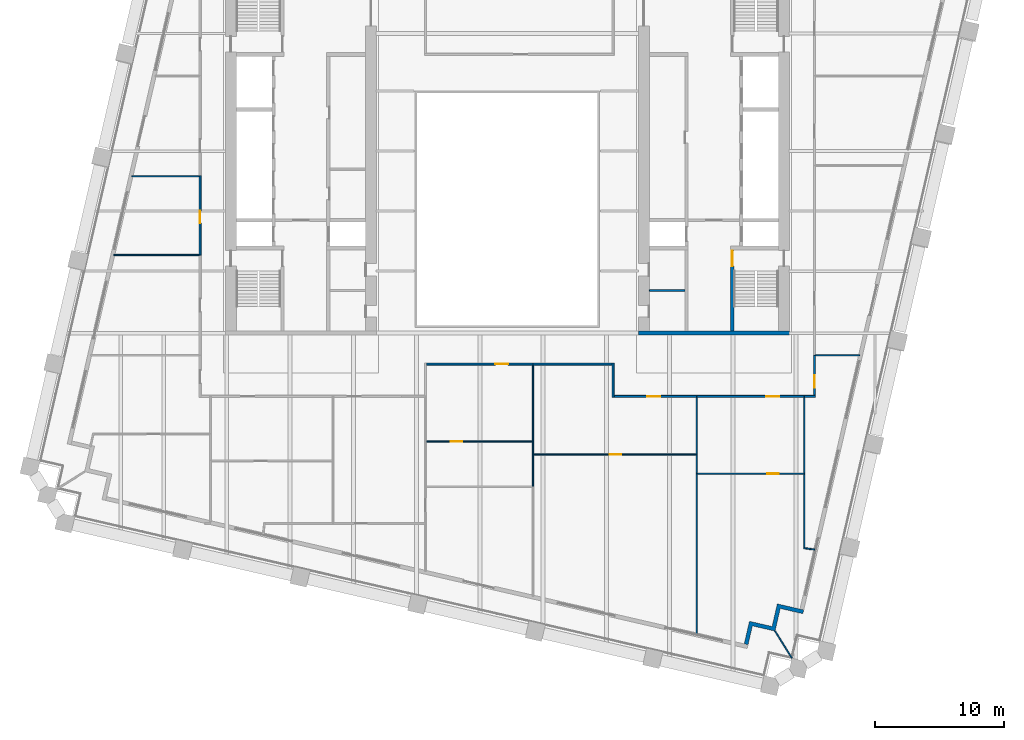
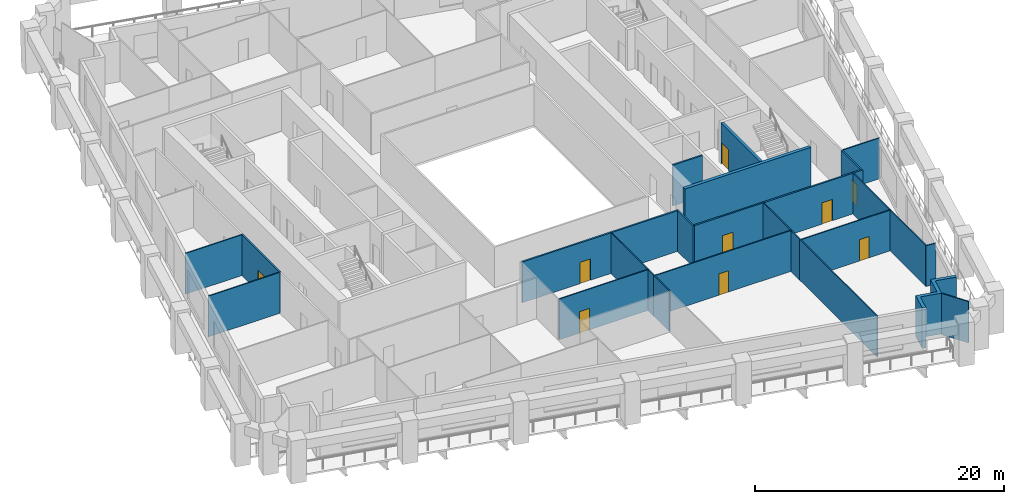
# One storey, part 5 of 12: 28 walls, 9 doors, 9 openings.
"""IFC4 building model written with IfcOpenShell, lengths in metres."""

from ifc_helpers import new_model, si_unit, direction, frame, frame_2d, origin, place, context, subcontext, project, spatial, polyline, rectangle, outline, extrude, material, layer, layer_set, type_object, element, fill, save


model = new_model("IFC4")

# Units and contexts
model_context = context("Model", 3, precision=1e-05, world=origin(), true_north=direction((0.0, 1.0)))
body_context = subcontext(model_context, "Body", "Model", "MODEL_VIEW")
ifc_project = project(units=[si_unit("LENGTHUNIT", "METRE"), si_unit("AREAUNIT", "SQUARE_METRE"), si_unit("VOLUMEUNIT", "CUBIC_METRE"), si_unit("PLANEANGLEUNIT", "RADIAN"), si_unit("MASSUNIT", "GRAM", prefix="KILO")], contexts=[model_context])

# Site, building, storey
site_placement = place(None, origin())
site = spatial("IfcSite", under=ifc_project, at=site_placement, CompositionType="ELEMENT")
building_placement = place(site_placement, origin())
building = spatial("IfcBuilding", under=site, at=building_placement, Name="Ogive Exchange Tower", CompositionType="ELEMENT")
storey_placement = place(building_placement, frame((0.0, 0.0, 130.800048828125)))
storey = spatial("IfcBuildingStorey", under=building, at=storey_placement, Name="L28", CompositionType="ELEMENT", Elevation=130.800048828125)

# Wall
ifc_material_1 = material(Name="Gypsum board partition")
ifc_layer_1 = layer(ifc_material_1, 0.14990234375)
ifc_layer_set_1 = layer_set([ifc_layer_1], Name="Core room partition 150 gypsum")
wall_type_1 = type_object("IfcWallType", Name="Core room partition 150 gypsum", PredefinedType="PARTITIONING", material=ifc_layer_set_1)
wall_1_placement = place(storey_placement, frame((11.0, 0.699951171875, 0.0), z_axis=(0.0, 0.0, 1.0), x_axis=(1.0, 0.0, 0.0)))
element("IfcWall", 1, at=wall_1_placement, inside=storey, type_object=wall_type_1, Name="E south room partition", PredefinedType="PARTITIONING", context=body_context, shape_type="SweptSolid", body=[
    extrude(rectangle(XDim=2.75, YDim=0.14990234375, at=frame_2d((1.375, 0.0))), origin(), (0.0, 0.0, 1.0), 4.0),
])

# Wall, opening, door
ifc_material_2 = material(Name="Fire partition EI 60 150")
ifc_layer_2 = layer(ifc_material_2, 0.14990234375)
ifc_layer_set_2 = layer_set([ifc_layer_2], Name="Fire partition EI 60 150")
wall_type_2 = type_object("IfcWallType", Name="Fire partition EI 60 150", PredefinedType="PARTITIONING", material=ifc_layer_set_2)
wall_2_placement = place(storey_placement, frame((-23.800048828125, 3.449951171875, 0.0), z_axis=(0.0, 0.0, 1.0), x_axis=(0.0, 1.0, 0.0)))
wall_2 = element("IfcWall", 2, at=wall_2_placement, inside=storey, type_object=wall_type_2, Name="L28-PWL-007", PredefinedType="PARTITIONING", context=body_context, shape_type="SweptSolid", body=[
    extrude(rectangle(XDim=6.150146484375, YDim=0.14990234375, at=frame_2d((3.0751953125, 0.0))), origin(), (0.0, 0.0, 1.0), 4.0),
])
opening_1_placement = place(wall_2_placement, frame((2.449951171875, 0.0, 0.0)))
opening_1 = element("IfcOpeningElement", 3, at=opening_1_placement, cuts=wall_2, Name="Opening L28-I25", PredefinedType="OPENING", context=body_context, shape_type="SweptSolid", body=[
    extrude(rectangle(XDim=1.0, YDim=2.10009765625, at=frame_2d((0.5, 1.050048828125))), frame((0.0, 0.0849609375, 0.0), z_axis=(0.0, -1.0, 0.0), x_axis=(1.0, 0.0, 0.0)), (0.0, 0.0, 1.0), 0.169921875),
])
ifc_material_3 = material(Name="Fire door FD 30S 1000 x 2100")
door_type_1 = type_object("IfcDoorType", Name="Fire door FD 30S 1000 x 2100", OperationType="NOTDEFINED", PredefinedType="DOOR", material=ifc_material_3)
door_1_placement = place(opening_1_placement, origin())
door_1 = element("IfcDoor", 4, at=door_1_placement, inside=storey, type_object=door_type_1, Name="L28-IDR-025", ObjectType="DT3", OperationType="SINGLE_SWING_RIGHT", OverallHeight=2.10009765625, OverallWidth=1.0, PredefinedType="DOOR", context=body_context, shape_type="SweptSolid", body=[
    extrude(rectangle(XDim=1.0, YDim=2.10009765625, at=frame_2d((0.5, 1.050048828125))), frame((0.0, 0.02490234375, 0.0), z_axis=(0.0, -1.0, 0.0), x_axis=(1.0, 0.0, 0.0)), (0.0, 0.0, 1.0), 0.050048828125),
])
fill(opening_1, door_1)

wall_3_placement = place(storey_placement, frame((2.0400390625, -5.0, 0.0), z_axis=(0.0, 0.0, 1.0), x_axis=(-1.0, 0.0, 0.0)))
wall_3 = element("IfcWall", 5, at=wall_3_placement, inside=storey, type_object=wall_type_2, Name="L28-PWL-055", PredefinedType="PARTITIONING", context=body_context, shape_type="SweptSolid", body=[
    extrude(rectangle(XDim=8.304931640625, YDim=0.14990234375, at=frame_2d((4.15234375, 0.0))), origin(), (0.0, 0.0, 1.0), 4.0),
])
opening_2_placement = place(wall_3_placement, frame((1.97998046875, 0.0, 0.0)))
opening_2 = element("IfcOpeningElement", 6, at=opening_2_placement, cuts=wall_3, Name="Opening L28-I01", PredefinedType="OPENING", context=body_context, shape_type="SweptSolid", body=[
    extrude(rectangle(XDim=1.0, YDim=2.10009765625, at=frame_2d((0.5, 1.050048828125))), frame((0.0, 0.0849609375, 0.0), z_axis=(0.0, -1.0, 0.0), x_axis=(1.0, 0.0, 0.0)), (0.0, 0.0, 1.0), 0.169921875),
])
door_2_placement = place(opening_2_placement, origin())
door_2 = element("IfcDoor", 7, at=door_2_placement, inside=storey, type_object=door_type_1, Name="L28-IDR-001", ObjectType="DT3", OperationType="SINGLE_SWING_RIGHT", OverallHeight=2.10009765625, OverallWidth=1.0, PredefinedType="DOOR", context=body_context, shape_type="SweptSolid", body=[
    extrude(rectangle(XDim=1.0, YDim=2.10009765625, at=frame_2d((0.5, 1.050048828125))), frame((0.0, 0.02490234375, 0.0), z_axis=(0.0, -1.0, 0.0), x_axis=(1.0, 0.0, 0.0)), (0.0, 0.0, 1.0), 0.050048828125),
])
fill(opening_2, door_2)

# Walls
wall_4_placement = place(storey_placement, frame((8.199951171875, -7.574951171875, 0.0), z_axis=(0.0, 0.0, 1.0), x_axis=(0.0, 1.0, 0.0)))
element("IfcWall", 8, at=wall_4_placement, inside=storey, type_object=wall_type_2, Name="L28-PWL-061", PredefinedType="PARTITIONING", context=body_context, shape_type="SweptSolid", body=[
    extrude(rectangle(XDim=2.64990234375, YDim=0.14990234375, at=frame_2d((1.324951171875, 0.0))), origin(), (0.0, 0.0, 1.0), 4.0),
])
wall_5_placement = place(storey_placement, frame((8.125, -5.0, 0.0), z_axis=(0.0, 0.0, 1.0), x_axis=(-1.0, 0.0, 0.0)))
element("IfcWall", 9, at=wall_5_placement, inside=storey, type_object=wall_type_2, Name="L28-PWL-062", PredefinedType="PARTITIONING", context=body_context, shape_type="SweptSolid", body=[
    extrude(rectangle(XDim=6.135009765625, YDim=0.14990234375, at=frame_2d((3.0673828125, 0.0))), origin(), (0.0, 0.0, 1.0), 4.0),
])

# Wall, opening, door
wall_6_placement = place(storey_placement, frame((14.669921875, -7.5, 0.0), z_axis=(0.0, 0.0, 1.0), x_axis=(-1.0, 0.0, 0.0)))
wall_6 = element("IfcWall", 10, at=wall_6_placement, inside=storey, type_object=wall_type_2, Name="L28-PWL-071", PredefinedType="PARTITIONING", context=body_context, shape_type="SweptSolid", body=[
    extrude(rectangle(XDim=6.39501953125, YDim=0.14990234375, at=frame_2d((3.197509765625, 0.0))), origin(), (0.0, 0.0, 1.0), 4.0),
])
opening_3_placement = place(wall_6_placement, frame((2.820068359375, 0.0, 0.0)))
opening_3 = element("IfcOpeningElement", 11, at=opening_3_placement, cuts=wall_6, Name="Opening L28-I04", PredefinedType="OPENING", context=body_context, shape_type="SweptSolid", body=[
    extrude(rectangle(XDim=1.0, YDim=2.10009765625, at=frame_2d((0.5, 1.050048828125))), frame((0.0, 0.0849609375, 0.0), z_axis=(0.0, -1.0, 0.0), x_axis=(1.0, 0.0, 0.0)), (0.0, 0.0, 1.0), 0.169921875),
])
door_3_placement = place(opening_3_placement, origin())
door_3 = element("IfcDoor", 12, at=door_3_placement, inside=storey, type_object=door_type_1, Name="L28-IDR-004", ObjectType="DT3", OperationType="SINGLE_SWING_RIGHT", OverallHeight=2.10009765625, OverallWidth=1.0, PredefinedType="DOOR", context=body_context, shape_type="SweptSolid", body=[
    extrude(rectangle(XDim=1.0, YDim=2.10009765625, at=frame_2d((0.5, 1.050048828125))), frame((0.0, 0.02490234375, 0.0), z_axis=(0.0, -1.0, 0.0), x_axis=(1.0, 0.0, 0.0)), (0.0, 0.0, 1.0), 0.050048828125),
])
fill(opening_3, door_3)

wall_7_placement = place(storey_placement, frame((23.06005859375, -7.5, 0.0), z_axis=(0.0, 0.0, 1.0), x_axis=(-1.0, 0.0, 0.0)))
wall_7 = element("IfcWall", 13, at=wall_7_placement, inside=storey, type_object=wall_type_2, Name="L28-PWL-076", PredefinedType="PARTITIONING", context=body_context, shape_type="SweptSolid", body=[
    extrude(rectangle(XDim=8.39013671875, YDim=0.14990234375, at=frame_2d((4.195068359375, 0.0))), origin(), (0.0, 0.0, 1.0), 4.0),
])
opening_4_placement = place(wall_7_placement, frame((1.989990234375, 0.0, 0.0)))
opening_4 = element("IfcOpeningElement", 14, at=opening_4_placement, cuts=wall_7, Name="Opening L28-I06", PredefinedType="OPENING", context=body_context, shape_type="SweptSolid", body=[
    extrude(rectangle(XDim=1.0, YDim=2.10009765625, at=frame_2d((0.5, 1.050048828125))), frame((0.0, 0.0849609375, 0.0), z_axis=(0.0, -1.0, 0.0), x_axis=(1.0, 0.0, 0.0)), (0.0, 0.0, 1.0), 0.169921875),
])
door_4_placement = place(opening_4_placement, origin())
door_4 = element("IfcDoor", 15, at=door_4_placement, inside=storey, type_object=door_type_1, Name="L28-IDR-006", ObjectType="DT3", OperationType="SINGLE_SWING_RIGHT", OverallHeight=2.10009765625, OverallWidth=1.0, PredefinedType="DOOR", context=body_context, shape_type="SweptSolid", body=[
    extrude(rectangle(XDim=1.0, YDim=2.10009765625, at=frame_2d((0.5, 1.050048828125))), frame((0.0, 0.02490234375, 0.0), z_axis=(0.0, -1.0, 0.0), x_axis=(1.0, 0.0, 0.0)), (0.0, 0.0, 1.0), 0.050048828125),
])
fill(opening_4, door_4)

# Wall
wall_8_placement = place(storey_placement, frame((23.875, -7.5, 0.0), z_axis=(0.0, 0.0, 1.0), x_axis=(-1.0, 0.0, 0.0)))
element("IfcWall", 16, at=wall_8_placement, inside=storey, type_object=wall_type_2, Name="L28-PWL-080", PredefinedType="PARTITIONING", context=body_context, shape_type="SweptSolid", body=[
    extrude(rectangle(XDim=0.864990234375, YDim=0.14990234375, at=frame_2d((0.4326171875, 0.0))), origin(), (0.0, 0.0, 1.0), 4.0),
])

# Wall, opening, door
wall_9_placement = place(storey_placement, frame((23.800048828125, -4.320068359375, 0.0), z_axis=(0.0, 0.0, 1.0), x_axis=(0.0, -1.0, 0.0)))
wall_9 = element("IfcWall", 17, at=wall_9_placement, inside=storey, type_object=wall_type_2, Name="L28-PWL-081", PredefinedType="PARTITIONING", context=body_context, shape_type="SweptSolid", body=[
    extrude(rectangle(XDim=3.10498046875, YDim=0.14990234375, at=frame_2d((1.552490234375, 0.0))), origin(), (0.0, 0.0, 1.0), 4.0),
])
opening_5_placement = place(wall_9_placement, frame((1.530029296875, 0.0, 0.0)))
opening_5 = element("IfcOpeningElement", 18, at=opening_5_placement, cuts=wall_9, Name="Opening L28-I08", PredefinedType="OPENING", context=body_context, shape_type="SweptSolid", body=[
    extrude(rectangle(XDim=1.0, YDim=2.10009765625, at=frame_2d((0.5, 1.050048828125))), frame((0.0, 0.0849609375, 0.0), z_axis=(0.0, -1.0, 0.0), x_axis=(1.0, 0.0, 0.0)), (0.0, 0.0, 1.0), 0.169921875),
])
door_5_placement = place(opening_5_placement, origin())
door_5 = element("IfcDoor", 19, at=door_5_placement, inside=storey, type_object=door_type_1, Name="L28-IDR-008", ObjectType="DT3", OperationType="SINGLE_SWING_RIGHT", OverallHeight=2.10009765625, OverallWidth=1.0, PredefinedType="DOOR", context=body_context, shape_type="SweptSolid", body=[
    extrude(rectangle(XDim=1.0, YDim=2.10009765625, at=frame_2d((0.5, 1.050048828125))), frame((0.0, 0.02490234375, 0.0), z_axis=(0.0, -1.0, 0.0), x_axis=(1.0, 0.0, 0.0)), (0.0, 0.0, 1.0), 0.050048828125),
])
fill(opening_5, door_5)

# Walls
ifc_material_4 = material(Name="Precast concrete C40/50", Category="concrete")
ifc_layer_3 = layer(ifc_material_4, 0.300048828125)
ifc_layer_set_3 = layer_set([ifc_layer_3], Name="Limestone-faced wall 300")
wall_type_3 = type_object("IfcWallType", Name="Limestone-faced wall 300", PredefinedType="STANDARD", material=ifc_layer_set_3)
wall_10_placement = place(storey_placement, origin())
element("IfcWall", 20, at=wall_10_placement, inside=storey, type_object=wall_type_3, Name="External corner wall C1", PredefinedType="STANDARD", context=body_context, shape_type="SweptSolid", body=[
    extrude(outline(polyline([(20.515380859375, -25.330810546875), (20.92041015625, -23.576904296875), (22.966552734375, -24.04931640625), (22.89892578125, -24.341552734375), (21.145263671875, -23.936767578125), (20.740234375, -25.690673828125), (18.986328125, -25.28564453125), (18.64892578125, -26.747314453125), (18.356689453125, -26.6796875), (18.76171875, -24.92578125), (20.515380859375, -25.330810546875)])), origin(), (0.0, 0.0, 1.0), 4.0),
])
ifc_material_5 = material(Name="Laminated safety glass in steel frame", Category="steel")
ifc_layer_4 = layer(ifc_material_5, 0.10009765625)
ifc_layer_set_4 = layer_set([ifc_layer_4], Name="Loggia end screen 100")
wall_type_4 = type_object("IfcWallType", Name="Loggia end screen 100", PredefinedType="STANDARD", material=ifc_layer_set_4)
wall_11_placement = place(storey_placement, frame((20.740234375, -25.690673828125, -0.050048828125), z_axis=(0.0, 0.0, 1.0), x_axis=(0.529972121605, -0.848015064914, 0.0)))
element("IfcWall", 21, at=wall_11_placement, inside=storey, type_object=wall_type_4, Name="Loggia end screen C1", PredefinedType="STANDARD", context=body_context, shape_type="SweptSolid", body=[
    extrude(rectangle(XDim=2.454833984375, YDim=0.10009765625, at=frame_2d((1.2275390625, 0.0))), origin(), (0.0, 0.0, 1.0), 4.050048828125),
])
ifc_material_6 = material(Name="Partition 100 gypsum")
ifc_layer_5 = layer(ifc_material_6, 0.10009765625)
ifc_layer_set_5 = layer_set([ifc_layer_5], Name="Partition 100 gypsum")
wall_type_5 = type_object("IfcWallType", Name="Partition 100 gypsum", PredefinedType="PARTITIONING", material=ifc_layer_set_5)
wall_12_placement = place(storey_placement, frame((-23.875, 3.449951171875, 0.0), z_axis=(0.0, 0.0, 1.0), x_axis=(-1.0, 0.0, 0.0)))
element("IfcWall", 22, at=wall_12_placement, inside=storey, type_object=wall_type_5, Name="L28-PWL-006", PredefinedType="PARTITIONING", context=body_context, shape_type="SweptSolid", body=[
    extrude(rectangle(XDim=6.623046875, YDim=0.10009765625, at=frame_2d((3.3115234375, 0.0))), origin(), (0.0, 0.0, 1.0), 4.0),
])
wall_13_placement = place(storey_placement, frame((-23.875, 9.550048828125, 0.0), z_axis=(0.0, 0.0, 1.0), x_axis=(-1.0, 0.0, 0.0)))
element("IfcWall", 23, at=wall_13_placement, inside=storey, type_object=wall_type_5, Name="L28-PWL-008", PredefinedType="PARTITIONING", context=body_context, shape_type="SweptSolid", body=[
    extrude(rectangle(XDim=5.215087890625, YDim=0.10009765625, at=frame_2d((2.607421875, 0.0))), origin(), (0.0, 0.0, 1.0), 4.0),
])
wall_14_placement = place(storey_placement, frame((1.989990234375, -11.949951171875, 0.0), z_axis=(0.0, 0.0, 1.0), x_axis=(0.0, -1.0, 0.0)))
element("IfcWall", 24, at=wall_14_placement, inside=storey, type_object=wall_type_5, Name="L28-PWL-052", PredefinedType="PARTITIONING", context=body_context, shape_type="SweptSolid", body=[
    extrude(rectangle(XDim=2.5, YDim=0.10009765625, at=frame_2d((1.25, 0.0))), origin(), (0.0, 0.0, 1.0), 4.0),
])

# Wall, opening, door
wall_15_placement = place(storey_placement, frame((2.0400390625, -11.0, 0.0), z_axis=(0.0, 0.0, 1.0), x_axis=(-1.0, 0.0, 0.0)))
wall_15 = element("IfcWall", 25, at=wall_15_placement, inside=storey, type_object=wall_type_5, Name="L28-PWL-053", PredefinedType="PARTITIONING", context=body_context, shape_type="SweptSolid", body=[
    extrude(rectangle(XDim=8.330078125, YDim=0.10009765625, at=frame_2d((4.1650390625, 0.0))), origin(), (0.0, 0.0, 1.0), 4.0),
])
opening_6_placement = place(wall_15_placement, frame((5.530029296875, 0.0, 0.0)))
opening_6 = element("IfcOpeningElement", 26, at=opening_6_placement, cuts=wall_15, Name="Opening L28-I02", PredefinedType="OPENING", context=body_context, shape_type="SweptSolid", body=[
    extrude(rectangle(XDim=0.89990234375, YDim=2.10009765625, at=frame_2d((0.449951171875, 1.050048828125))), frame((0.0, 0.06005859375, 0.0), z_axis=(0.0, -1.0, 0.0), x_axis=(1.0, 0.0, 0.0)), (0.0, 0.0, 1.0), 0.1201171875),
])
ifc_material_7 = material(Name="Door 900 x 2100")
door_type_2 = type_object("IfcDoorType", Name="Door 900 x 2100", OperationType="NOTDEFINED", PredefinedType="DOOR", material=ifc_material_7)
door_6_placement = place(opening_6_placement, origin())
door_6 = element("IfcDoor", 27, at=door_6_placement, inside=storey, type_object=door_type_2, Name="L28-IDR-002", ObjectType="DT1", OperationType="SINGLE_SWING_LEFT", OverallHeight=2.10009765625, OverallWidth=0.89990234375, PredefinedType="DOOR", context=body_context, shape_type="SweptSolid", body=[
    extrude(rectangle(XDim=0.89990234375, YDim=2.10009765625, at=frame_2d((0.449951171875, 1.050048828125))), frame((0.0, 0.02490234375, 0.0), z_axis=(0.0, -1.0, 0.0), x_axis=(1.0, 0.0, 0.0)), (0.0, 0.0, 1.0), 0.050048828125),
])
fill(opening_6, door_6)

# Walls
wall_16_placement = place(storey_placement, frame((1.989990234375, -11.050048828125, 0.0), z_axis=(0.0, 0.0, 1.0), x_axis=(0.0, -1.0, 0.0)))
element("IfcWall", 28, at=wall_16_placement, inside=storey, type_object=wall_type_5, Name="L28-PWL-054", PredefinedType="PARTITIONING", context=body_context, shape_type="SweptSolid", body=[
    extrude(rectangle(XDim=0.89990234375, YDim=0.10009765625, at=frame_2d((0.449951171875, 0.0))), origin(), (0.0, 0.0, 1.0), 4.0),
])
wall_17_placement = place(storey_placement, frame((1.989990234375, -5.074951171875, 0.0), z_axis=(0.0, 0.0, 1.0), x_axis=(0.0, -1.0, 0.0)))
element("IfcWall", 29, at=wall_17_placement, inside=storey, type_object=wall_type_5, Name="L28-PWL-056", PredefinedType="PARTITIONING", context=body_context, shape_type="SweptSolid", body=[
    extrude(rectangle(XDim=5.875, YDim=0.10009765625, at=frame_2d((2.9375, 0.0))), origin(), (0.0, 0.0, 1.0), 4.0),
])
wall_18_placement = place(storey_placement, frame((14.669921875, -13.449951171875, 0.0), z_axis=(0.0, 0.0, 1.0), x_axis=(0.0, -1.0, 0.0)))
element("IfcWall", 30, at=wall_18_placement, inside=storey, type_object=wall_type_5, Name="L28-PWL-068", PredefinedType="PARTITIONING", context=body_context, shape_type="SweptSolid", body=[
    extrude(rectangle(XDim=12.4609375, YDim=0.10009765625, at=frame_2d((6.23046875, 0.0))), origin(), (0.0, 0.0, 1.0), 4.0),
])

# Wall, opening, door
wall_19_placement = place(storey_placement, frame((14.719970703125, -12.0, 0.0), z_axis=(0.0, 0.0, 1.0), x_axis=(-1.0, 0.0, 0.0)))
wall_19 = element("IfcWall", 31, at=wall_19_placement, inside=storey, type_object=wall_type_5, Name="L28-PWL-069", PredefinedType="PARTITIONING", context=body_context, shape_type="SweptSolid", body=[
    extrude(rectangle(XDim=12.679931640625, YDim=0.10009765625, at=frame_2d((6.33984375, 0.0))), origin(), (0.0, 0.0, 1.0), 4.0),
])
opening_7_placement = place(wall_19_placement, frame((5.8798828125, 0.0, 0.0)))
opening_7 = element("IfcOpeningElement", 32, at=opening_7_placement, cuts=wall_19, Name="Opening L28-I05", PredefinedType="OPENING", context=body_context, shape_type="SweptSolid", body=[
    extrude(rectangle(XDim=0.89990234375, YDim=2.10009765625, at=frame_2d((0.449951171875, 1.050048828125))), frame((0.0, 0.06005859375, 0.0), z_axis=(0.0, -1.0, 0.0), x_axis=(1.0, 0.0, 0.0)), (0.0, 0.0, 1.0), 0.1201171875),
])
door_7_placement = place(opening_7_placement, frame((0.89990234375, 0.0, 0.0), z_axis=(0.0, 0.0, 1.0), x_axis=(-1.0, 0.0, 0.0)))
door_7 = element("IfcDoor", 33, at=door_7_placement, inside=storey, type_object=door_type_2, Name="L28-IDR-005", ObjectType="DT1", OperationType="SINGLE_SWING_LEFT", OverallHeight=2.10009765625, OverallWidth=0.89990234375, PredefinedType="DOOR", context=body_context, shape_type="SweptSolid", body=[
    extrude(rectangle(XDim=0.89990234375, YDim=2.10009765625, at=frame_2d((0.449951171875, 1.050048828125))), frame((0.0, 0.02490234375, 0.0), z_axis=(0.0, -1.0, 0.0), x_axis=(1.0, 0.0, 0.0)), (0.0, 0.0, 1.0), 0.050048828125),
])
fill(opening_7, door_7)

# Walls
wall_20_placement = place(storey_placement, frame((14.669921875, -12.050048828125, 0.0), z_axis=(0.0, 0.0, 1.0), x_axis=(0.0, -1.0, 0.0)))
element("IfcWall", 34, at=wall_20_placement, inside=storey, type_object=wall_type_5, Name="L28-PWL-070", PredefinedType="PARTITIONING", context=body_context, shape_type="SweptSolid", body=[
    extrude(rectangle(XDim=1.39990234375, YDim=0.10009765625, at=frame_2d((0.699951171875, 0.0))), origin(), (0.0, 0.0, 1.0), 4.0),
])
wall_21_placement = place(storey_placement, frame((14.669921875, -7.574951171875, 0.0), z_axis=(0.0, 0.0, 1.0), x_axis=(0.0, -1.0, 0.0)))
element("IfcWall", 35, at=wall_21_placement, inside=storey, type_object=wall_type_5, Name="L28-PWL-072", PredefinedType="PARTITIONING", context=body_context, shape_type="SweptSolid", body=[
    extrude(rectangle(XDim=4.375, YDim=0.10009765625, at=frame_2d((2.1875, 0.0))), origin(), (0.0, 0.0, 1.0), 4.0),
])
wall_22_placement = place(storey_placement, frame((22.9599609375, -19.263916015625, 0.0), z_axis=(0.0, 0.0, 1.0), x_axis=(0.993326131588, -0.115339482852, 0.0)))
element("IfcWall", 36, at=wall_22_placement, inside=storey, type_object=wall_type_5, Name="L28-PWL-073", PredefinedType="PARTITIONING", context=body_context, shape_type="SweptSolid", body=[
    extrude(rectangle(XDim=0.867919921875, YDim=0.10009765625, at=frame_2d((0.43408203125, 0.0))), origin(), (0.0, 0.0, 1.0), 4.0),
])

# Wall, opening, door
wall_23_placement = place(storey_placement, frame((23.06005859375, -13.5, 0.0), z_axis=(0.0, 0.0, 1.0), x_axis=(-1.0, 0.0, 0.0)))
wall_23 = element("IfcWall", 37, at=wall_23_placement, inside=storey, type_object=wall_type_5, Name="L28-PWL-074", PredefinedType="PARTITIONING", context=body_context, shape_type="SweptSolid", body=[
    extrude(rectangle(XDim=8.340087890625, YDim=0.10009765625, at=frame_2d((4.169921875, 0.0))), origin(), (0.0, 0.0, 1.0), 4.0),
])
opening_8_placement = place(wall_23_placement, frame((2.0400390625, 0.0, 0.0)))
opening_8 = element("IfcOpeningElement", 38, at=opening_8_placement, cuts=wall_23, Name="Opening L28-I07", PredefinedType="OPENING", context=body_context, shape_type="SweptSolid", body=[
    extrude(rectangle(XDim=0.89990234375, YDim=2.10009765625, at=frame_2d((0.449951171875, 1.050048828125))), frame((0.0, 0.06005859375, 0.0), z_axis=(0.0, -1.0, 0.0), x_axis=(1.0, 0.0, 0.0)), (0.0, 0.0, 1.0), 0.1201171875),
])
door_8_placement = place(opening_8_placement, frame((0.89990234375, 0.0, 0.0), z_axis=(0.0, 0.0, 1.0), x_axis=(-1.0, 0.0, 0.0)))
door_8 = element("IfcDoor", 39, at=door_8_placement, inside=storey, type_object=door_type_2, Name="L28-IDR-007", ObjectType="DT1", OperationType="SINGLE_SWING_LEFT", OverallHeight=2.10009765625, OverallWidth=0.89990234375, PredefinedType="DOOR", context=body_context, shape_type="SweptSolid", body=[
    extrude(rectangle(XDim=0.89990234375, YDim=2.10009765625, at=frame_2d((0.449951171875, 1.050048828125))), frame((0.0, 0.02490234375, 0.0), z_axis=(0.0, -1.0, 0.0), x_axis=(1.0, 0.0, 0.0)), (0.0, 0.0, 1.0), 0.050048828125),
])
fill(opening_8, door_8)

# Walls
wall_24_placement = place(storey_placement, frame((23.010009765625, -13.550048828125, 0.0), z_axis=(0.0, 0.0, 1.0), x_axis=(0.0, -1.0, 0.0)))
element("IfcWall", 40, at=wall_24_placement, inside=storey, type_object=wall_type_5, Name="L28-PWL-075", PredefinedType="PARTITIONING", context=body_context, shape_type="SweptSolid", body=[
    extrude(rectangle(XDim=5.669921875, YDim=0.10009765625, at=frame_2d((2.8349609375, 0.0))), origin(), (0.0, 0.0, 1.0), 4.0),
])
wall_25_placement = place(storey_placement, frame((23.010009765625, -7.574951171875, 0.0), z_axis=(0.0, 0.0, 1.0), x_axis=(0.0, -1.0, 0.0)))
element("IfcWall", 41, at=wall_25_placement, inside=storey, type_object=wall_type_5, Name="L28-PWL-077", PredefinedType="PARTITIONING", context=body_context, shape_type="SweptSolid", body=[
    extrude(rectangle(XDim=5.875, YDim=0.10009765625, at=frame_2d((2.9375, 0.0))), origin(), (0.0, 0.0, 1.0), 4.0),
])
wall_26_placement = place(storey_placement, frame((23.875, -4.320068359375, 0.0), z_axis=(0.0, 0.0, 1.0), x_axis=(1.0, 0.0, 0.0)))
element("IfcWall", 42, at=wall_26_placement, inside=storey, type_object=wall_type_5, Name="L28-PWL-082", PredefinedType="PARTITIONING", context=body_context, shape_type="SweptSolid", body=[
    extrude(rectangle(XDim=3.4208984375, YDim=0.10009765625, at=frame_2d((1.71044921875, 0.0))), origin(), (0.0, 0.0, 1.0), 4.0),
])

# Wall, opening, door
ifc_material_8 = material(Name="Concrete C70/85", Category="concrete")
ifc_layer_6 = layer(ifc_material_8, 0.25)
ifc_layer_set_6 = layer_set([ifc_layer_6], Name="RC core wall 250 C70/85")
wall_type_6 = type_object("IfcWallType", Name="RC core wall 250 C70/85", PredefinedType="SHEAR", material=ifc_layer_set_6)
wall_27_placement = place(storey_placement, frame((17.425048828125, -2.449951171875, 0.0), z_axis=(0.0, 0.0, 1.0), x_axis=(0.0, 1.0, 0.0)))
wall_27 = element("IfcWall", 43, at=wall_27_placement, inside=storey, type_object=wall_type_6, Name="E stair S front wall", PredefinedType="SHEAR", context=body_context, shape_type="SweptSolid", body=[
    extrude(rectangle(XDim=6.300048828125, YDim=0.25, at=frame_2d((3.14990234375, 0.0))), origin(), (0.0, 0.0, 1.0), 4.0),
])
opening_9_placement = place(wall_27_placement, frame((5.050048828125, 0.0, 0.0)))
opening_9 = element("IfcOpeningElement", 44, at=opening_9_placement, cuts=wall_27, Name="Opening L28-C30", PredefinedType="OPENING", context=body_context, shape_type="SweptSolid", body=[
    extrude(rectangle(XDim=1.199951171875, YDim=2.10009765625, at=frame_2d((0.60009765625, 1.050048828125))), frame((0.0, 0.135009765625, 0.0), z_axis=(0.0, -1.0, 0.0), x_axis=(1.0, 0.0, 0.0)), (0.0, 0.0, 1.0), 0.27001953125),
])
ifc_material_9 = material(Name="Steel fire door", Category="steel")
door_type_3 = type_object("IfcDoorType", Name="Stair door FD90 1200 x 2100", OperationType="NOTDEFINED", PredefinedType="DOOR", material=ifc_material_9)
door_9_placement = place(opening_9_placement, frame((1.199951171875, 0.0, 0.0), z_axis=(0.0, 0.0, 1.0), x_axis=(-1.0, 0.0, 0.0)))
door_9 = element("IfcDoor", 45, at=door_9_placement, inside=storey, type_object=door_type_3, Name="Stair door", ObjectType="CD5", OperationType="SINGLE_SWING_RIGHT", OverallHeight=2.10009765625, OverallWidth=1.199951171875, PredefinedType="DOOR", context=body_context, shape_type="SweptSolid", body=[
    extrude(rectangle(XDim=1.199951171875, YDim=2.10009765625, at=frame_2d((0.60009765625, 1.050048828125))), frame((0.0, 0.02490234375, 0.0), z_axis=(0.0, -1.0, 0.0), x_axis=(1.0, 0.0, 0.0)), (0.0, 0.0, 1.0), 0.050048828125),
])
fill(opening_9, door_9)

# Wall
ifc_layer_7 = layer(ifc_material_8, 0.300048828125)
ifc_layer_set_7 = layer_set([ifc_layer_7], Name="RC core wall 300 C70/85")
wall_type_7 = type_object("IfcWallType", Name="RC core wall 300 C70/85", PredefinedType="SHEAR", material=ifc_layer_set_7)
wall_28_placement = place(storey_placement, frame((10.14990234375, -2.60009765625, 0.0), z_axis=(0.0, 0.0, 1.0), x_axis=(1.0, 0.0, 0.0)))
element("IfcWall", 46, at=wall_28_placement, inside=storey, type_object=wall_type_7, Name="E south end wall", PredefinedType="SHEAR", context=body_context, shape_type="SweptSolid", body=[
    extrude(rectangle(XDim=11.7001953125, YDim=0.300048828125, at=frame_2d((5.85009765625, 0.0))), origin(), (0.0, 0.0, 1.0), 4.0),
])

save(model, "model.ifc")
